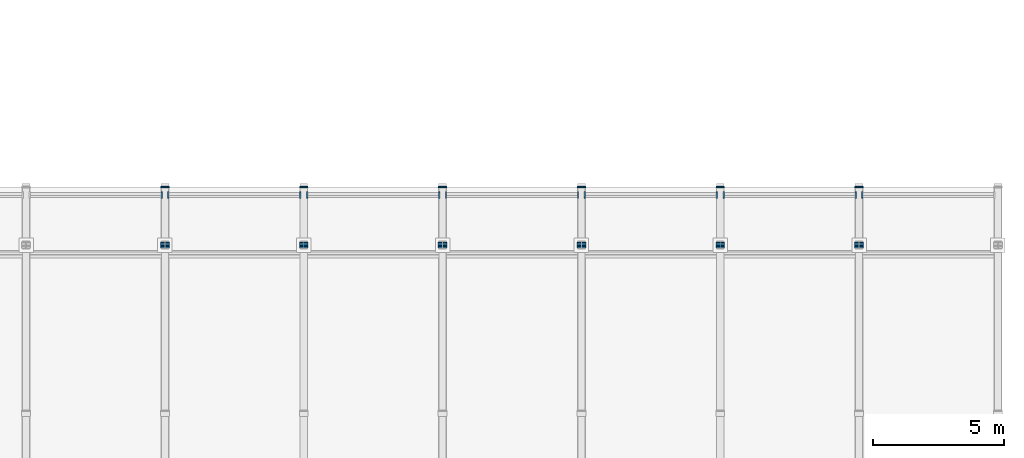
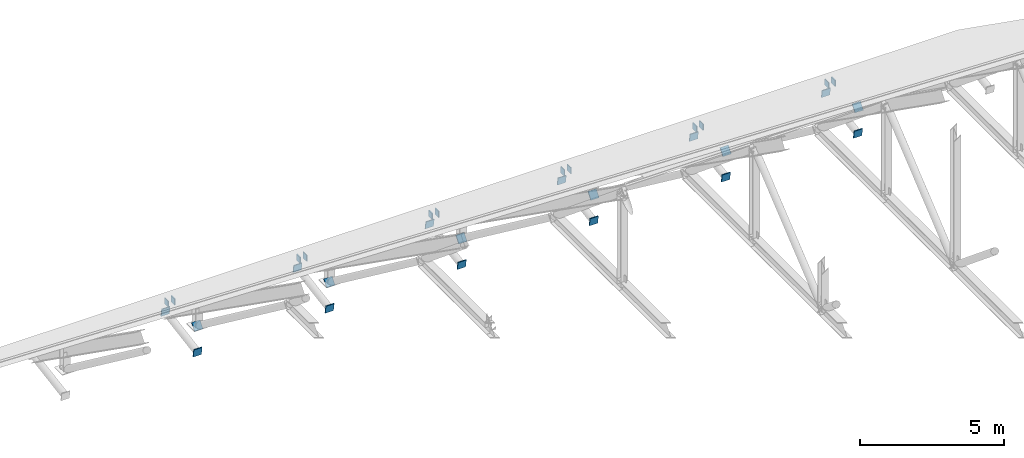
# One storey, part 52 of 57: 30 discrete accessories.
"""IFC4 building model written with IfcOpenShell, lengths in metres."""

from ifc_helpers import new_model, si_unit, direction, frame, origin, origin_2d, place, context, subcontext, project, spatial, rectangle, extrude, material, material_profile, profile_set, type_object, element, save


model = new_model("IFC4")

# Units and contexts
model_context = context("Model", 3, precision=1e-05, world=origin(), true_north=direction((0.0, 1.0)))
body_context = subcontext(model_context, "Body", "Model", "MODEL_VIEW")
ifc_project = project(units=[si_unit("LENGTHUNIT", "METRE"), si_unit("AREAUNIT", "SQUARE_METRE"), si_unit("VOLUMEUNIT", "CUBIC_METRE"), si_unit("PLANEANGLEUNIT", "RADIAN"), si_unit("MASSUNIT", "GRAM", prefix="KILO")], contexts=[model_context])

# Site, building, storey
site_placement = place(None, origin())
site = spatial("IfcSite", under=ifc_project, at=site_placement, CompositionType="ELEMENT")
building_placement = place(site_placement, origin())
building = spatial("IfcBuilding", under=site, at=building_placement, Name="Kelarvand Opera House", CompositionType="ELEMENT")
storey_placement = place(building_placement, frame((0.0, 0.0, 33.60009765625)))
storey = spatial("IfcBuildingStorey", under=building, at=storey_placement, Name="Roof", CompositionType="ELEMENT", Elevation=33.60009765625)

# Discrete accessories
ifc_material = material(Name="Steel S355", Category="steel")
ifc_material_profile_1 = material_profile(ifc_material, rectangle(XDim=0.260009765625, YDim=0.260009765625, at=origin_2d()), Name="Welded Steel Hollow End-Cap Plate 260x260x24", Category="steel")
ifc_profile_set_1 = profile_set([ifc_material_profile_1], Name="Steel S355")
discrete_accessory_type_1 = type_object("IfcDiscreteAccessoryType", Name="Welded Steel Hollow End-Cap Plate 260x260x24", PredefinedType="SHOE", material=ifc_profile_set_1)
for number, where, z_axis, x_axis, name in (
    (1, (109.971923828125, 80.300048828125, -9.721923828125), (1.0, 0.0, 0.0), (0.0, 1.0, 0.0), "Hollow Section Welded End Cap 408"),
    (2, (110.26806640625, 80.300048828125, -9.721923828125), (-1.0, 0.0, 0.0), (0.0, -1.0, 0.0), "Hollow Section Welded End Cap 411"),
    (3, (115.251953125, 80.300048828125, -9.721923828125), (1.0, 0.0, 0.0), (0.0, 1.0, 0.0), "Hollow Section Welded End Cap 412"),
    (4, (115.548095703125, 80.300048828125, -9.721923828125), (-1.0, 0.0, 0.0), (0.0, -1.0, 0.0), "Hollow Section Welded End Cap 415"),
    (5, (120.531982421875, 80.300048828125, -9.721923828125), (1.0, 0.0, 0.0), (0.0, 1.0, 0.0), "Hollow Section Welded End Cap 416"),
):
    element("IfcDiscreteAccessory", number, at=place(storey_placement, frame(where, z_axis=z_axis, x_axis=x_axis)), inside=storey, type_object=discrete_accessory_type_1, Name=name, PredefinedType="SHOE", context=body_context, shape_type="SweptSolid", body=[
        extrude(rectangle(XDim=0.260009765625, YDim=0.260009765625, at=origin_2d()), origin(), (0.0, 0.0, 1.0), 0.0361328125),
    ])
for number, where, z_axis, x_axis, name in (
    (6, (120.827880859375, 80.300048828125, -9.721923828125), (-1.0, 0.0, 0.0), (0.0, -1.0, 0.0), "Hollow Section Welded End Cap 419"),
    (7, (125.81201171875, 80.300048828125, -9.721923828125), (1.0, 0.0, 0.0), (0.0, 1.0, 0.0), "Hollow Section Welded End Cap 420"),
    (8, (126.10791015625, 80.300048828125, -9.721923828125), (-1.0, 0.0, 0.0), (0.0, -1.0, 0.0), "Hollow Section Welded End Cap 423"),
    (9, (131.092041015625, 80.300048828125, -9.721923828125), (1.0, 0.0, 0.0), (0.0, 1.0, 0.0), "Hollow Section Welded End Cap 424"),
    (10, (131.387939453125, 80.300048828125, -9.721923828125), (-1.0, 0.0, 0.0), (0.0, -1.0, 0.0), "Hollow Section Welded End Cap 427"),
    (11, (136.3720703125, 80.300048828125, -9.721923828125), (1.0, 0.0, 0.0), (0.0, 1.0, 0.0), "Hollow Section Welded End Cap 428"),
    (12, (136.66796875, 80.300048828125, -9.721923828125), (-1.0, 0.0, 0.0), (0.0, -1.0, 0.0), "Hollow Section Welded End Cap 431"),
):
    element("IfcDiscreteAccessory", number, at=place(storey_placement, frame(where, z_axis=z_axis, x_axis=x_axis)), inside=storey, type_object=discrete_accessory_type_1, Name=name, PredefinedType="SHOE", context=body_context, shape_type="SweptSolid", body=[
        extrude(rectangle(XDim=0.260009765625, YDim=0.260009765625, at=origin_2d()), origin(), (0.0, 0.0, 1.0), 0.035888671875),
    ])
ifc_material_profile_2 = material_profile(ifc_material, rectangle(XDim=0.3330078125, YDim=0.3330078125, at=origin_2d()), Name="Welded Steel Hollow End-Cap Plate 333x333x24", Category="steel")
ifc_profile_set_2 = profile_set([ifc_material_profile_2], Name="Steel S355")
discrete_accessory_type_2 = type_object("IfcDiscreteAccessoryType", Name="Welded Steel Hollow End-Cap Plate 333x333x24", PredefinedType="SHOE", material=ifc_profile_set_2)
for number, where, z_axis, x_axis, name in (
    (13, (110.1201171875, 78.407958984375, -10.69873046875), (0.0, -0.986756818481, -0.162206600298), (1.0, 0.0, 0.0), "Hollow Section Welded End Cap 279"),
    (14, (110.1201171875, 80.592041015625, -10.33349609375), (0.0, 0.986756818481, 0.162206600298), (-1.0, 0.0, 0.0), "Hollow Section Welded End Cap 280"),
    (15, (110.1201171875, 78.3935546875, -9.59521484375), (0.0, 0.798373260242, -0.602162882725), (-1.0, 0.0, 0.0), "Hollow Section Welded End Cap 283"),
    (16, (115.39990234375, 78.407958984375, -10.69873046875), (0.0, -0.986756818481, -0.162206600298), (1.0, 0.0, 0.0), "Hollow Section Welded End Cap 295"),
    (17, (115.39990234375, 80.592041015625, -10.33349609375), (0.0, 0.986756818481, 0.162206600298), (-1.0, 0.0, 0.0), "Hollow Section Welded End Cap 296"),
    (18, (115.39990234375, 78.3935546875, -9.59521484375), (0.0, 0.798373260242, -0.602162882725), (-1.0, 0.0, 0.0), "Hollow Section Welded End Cap 299"),
    (19, (120.679931640625, 78.407958984375, -10.69873046875), (0.0, -0.986756818481, -0.162206600298), (1.0, 0.0, 0.0), "Hollow Section Welded End Cap 311"),
    (20, (120.679931640625, 80.592041015625, -10.33349609375), (0.0, 0.986756818481, 0.162206600298), (-1.0, 0.0, 0.0), "Hollow Section Welded End Cap 312"),
    (21, (120.679931640625, 78.3935546875, -9.59521484375), (0.0, 0.798373260242, -0.602162882725), (-1.0, 0.0, 0.0), "Hollow Section Welded End Cap 315"),
    (22, (125.9599609375, 78.407958984375, -10.69873046875), (0.0, -0.986756818481, -0.162206600298), (1.0, 0.0, 0.0), "Hollow Section Welded End Cap 327"),
    (23, (125.9599609375, 80.592041015625, -10.33349609375), (0.0, 0.986756818481, 0.162206600298), (-1.0, 0.0, 0.0), "Hollow Section Welded End Cap 328"),
    (24, (125.9599609375, 78.3935546875, -9.59521484375), (0.0, 0.798373260242, -0.602162882725), (-1.0, 0.0, 0.0), "Hollow Section Welded End Cap 331"),
    (25, (131.239990234375, 78.407958984375, -10.69873046875), (0.0, -0.986756818481, -0.162206600298), (1.0, 0.0, 0.0), "Hollow Section Welded End Cap 343"),
    (26, (131.239990234375, 80.592041015625, -10.33349609375), (0.0, 0.986756818481, 0.162206600298), (-1.0, 0.0, 0.0), "Hollow Section Welded End Cap 344"),
    (27, (131.239990234375, 78.3935546875, -9.59521484375), (0.0, 0.798373260242, -0.602162882725), (-1.0, 0.0, 0.0), "Hollow Section Welded End Cap 347"),
    (28, (136.52001953125, 78.407958984375, -10.69873046875), (0.0, -0.986756818481, -0.162206600298), (1.0, 0.0, 0.0), "Hollow Section Welded End Cap 359"),
    (29, (136.52001953125, 80.592041015625, -10.33349609375), (0.0, 0.986756818481, 0.162206600298), (-1.0, 0.0, 0.0), "Hollow Section Welded End Cap 360"),
    (30, (136.52001953125, 78.3935546875, -9.59521484375), (0.0, 0.798373260242, -0.602162882725), (-1.0, 0.0, 0.0), "Hollow Section Welded End Cap 363"),
):
    element("IfcDiscreteAccessory", number, at=place(storey_placement, frame(where, z_axis=z_axis, x_axis=x_axis)), inside=storey, type_object=discrete_accessory_type_2, Name=name, PredefinedType="SHOE", context=body_context, shape_type="SweptSolid", body=[
        extrude(rectangle(XDim=0.3330078125, YDim=0.3330078125, at=origin_2d()), origin(), (0.0, 0.0, 1.0), 0.0361328125),
    ])

save(model, "model.ifc")
